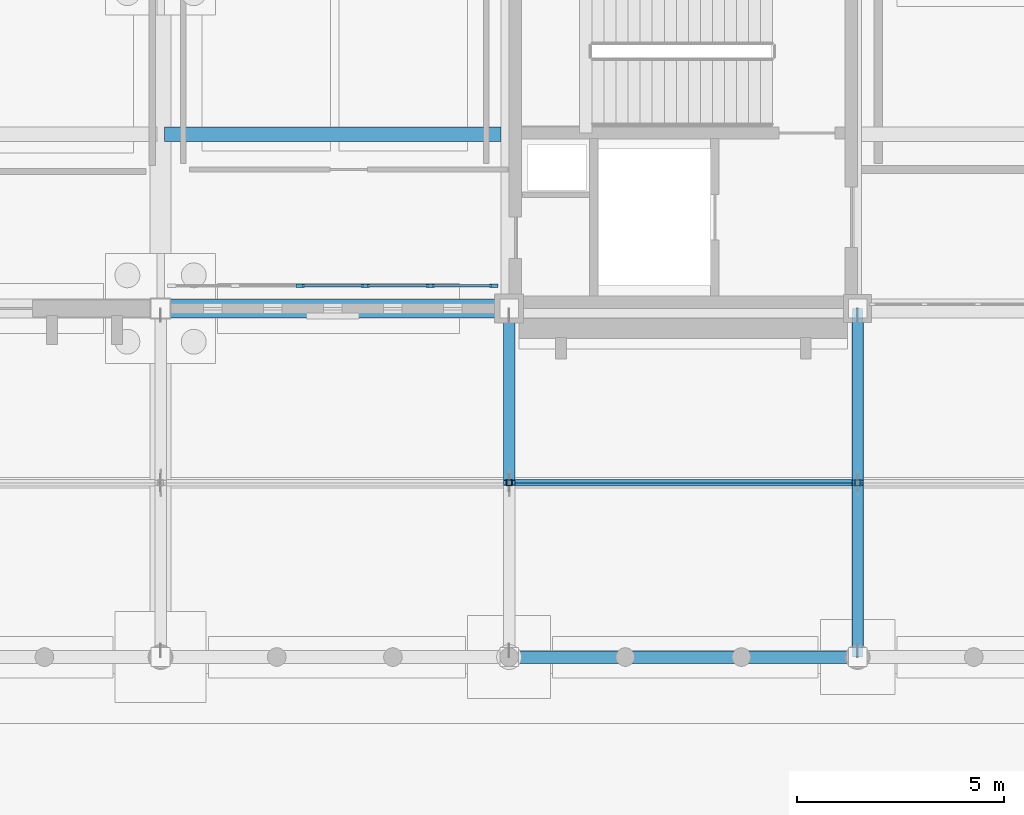
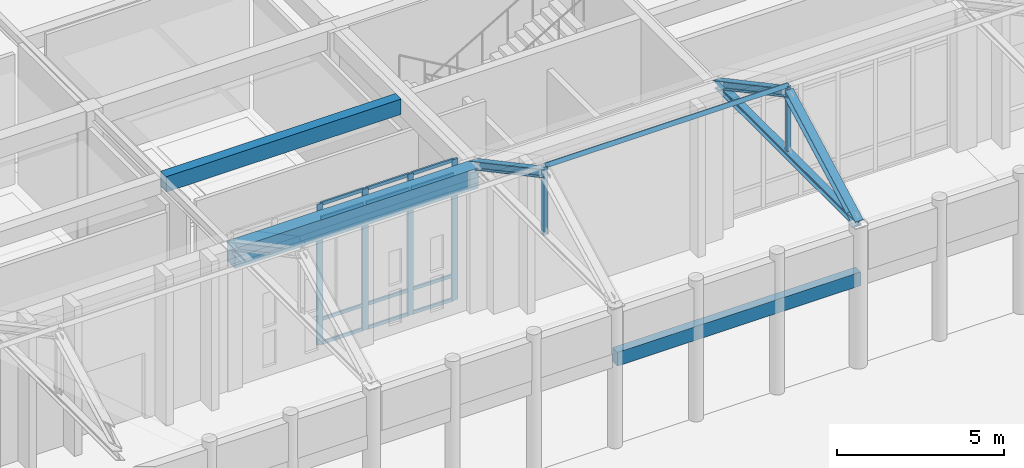
# One storey, part 63 of 143: 23 members, 3 beams, 1 element without a shape of its own.
"""IFC4 building model written with IfcOpenShell, lengths in metres."""

from ifc_helpers import new_model, si_unit, direction, frame, origin, origin_2d, place, context, subcontext, project, spatial, rectangle, hollow_rectangle, i_section, extrude, material, layer, layer_set, material_profile, profile_set, type_object, element, aggregate, save


model = new_model("IFC4")

# Units and contexts
model_context = context("Model", 3, precision=1e-05, world=origin(), true_north=direction((0.0, 1.0)))
body_context = subcontext(model_context, "Body", "Model", "MODEL_VIEW")
ifc_project = project(units=[si_unit("LENGTHUNIT", "METRE"), si_unit("AREAUNIT", "SQUARE_METRE"), si_unit("VOLUMEUNIT", "CUBIC_METRE"), si_unit("PLANEANGLEUNIT", "RADIAN"), si_unit("MASSUNIT", "GRAM", prefix="KILO")], contexts=[model_context])

# Site, building, storey
site_placement = place(None, origin())
site = spatial("IfcSite", under=ifc_project, at=site_placement, CompositionType="ELEMENT")
building_placement = place(site_placement, origin())
building = spatial("IfcBuilding", under=site, at=building_placement, Name="Kveldsbrygga Polytechnic", CompositionType="ELEMENT")
storey_placement = place(building_placement, origin())
storey = spatial("IfcBuildingStorey", under=building, at=storey_placement, Name="L00", CompositionType="ELEMENT", Elevation=0.0)

# Beam
ifc_material_1 = material(Name="Concrete C35/45", Category="concrete")
ifc_material_profile_1 = material_profile(ifc_material_1, rectangle(XDim=0.4599609375, YDim=0.739990234375, at=origin_2d()), Name="RC 460x740")
ifc_profile_set_1 = profile_set([ifc_material_profile_1], Name="Concrete C35/45")
beam_type_1 = type_object("IfcBeamType", Name="BM-RC-460x740", PredefinedType="BEAM", material=ifc_profile_set_1)
beam_1_placement = place(storey_placement, frame((92.39990234375, 84.0, 4.77001953125), z_axis=(1.0, 0.0, 0.0), x_axis=(0.0, 1.0, 0.0)))
element("IfcBeam", 1, at=beam_1_placement, inside=storey, type_object=beam_type_1, Name="Primary Beam BMX-L00-11to12-10", PredefinedType="BEAM", context=body_context, shape_type="SweptSolid", body=[
    extrude(rectangle(XDim=0.4599609375, YDim=0.739990234375, at=origin_2d()), origin(), (0.0, 0.0, 1.0), 8.400146484375),
])

# Curtain wall, members
ifc_material_2 = material(Name="Anodised aluminium AW-6060", Category="aluminium")
ifc_layer = layer(ifc_material_2, 0.18994140625)
ifc_layer_set = layer_set([ifc_layer], Name="Anodised aluminium AW-6060")
curtain_wall_type = type_object("IfcCurtainWallType", Name="CW-REFC-G", PredefinedType="USERDEFINED", material=ifc_layer_set)
curtain_wall_placement = place(storey_placement, origin())
curtain_wall = element("IfcCurtainWall", 2, at=curtain_wall_placement, inside=storey, type_object=curtain_wall_type, Name="Curtain Wall CW-L00-X-11-10", ObjectType="UNITISED CURTAIN WALL", PredefinedType="USERDEFINED")
ifc_material_profile_2 = material_profile(ifc_material_2, rectangle(XDim=0.074951171875, YDim=0.199951171875, at=origin_2d()), Name="ALU 75x200")
ifc_profile_set_2 = profile_set([ifc_material_profile_2], Name="Anodised aluminium AW-6060")
member_type_1 = type_object("IfcMemberType", Name="CW-MUL-200", PredefinedType="MULLION", material=ifc_profile_set_2)
member_1_placement = place(storey_placement, frame((95.76708984375, 84.550048828125, 0.0), z_axis=(0.0, 0.0, 1.0), x_axis=(0.0, 1.0, 0.0)))
member_1 = element("IfcMember", 3, at=member_1_placement, type_object=member_type_1, Name="CW-07 mullion 3", PredefinedType="MULLION", context=body_context, shape_type="SweptSolid", body=[
    extrude(rectangle(XDim=0.074951171875, YDim=0.199951171875, at=origin_2d()), origin(), (0.0, 0.0, 1.0), 5.139892578125),
])
member_2_placement = place(storey_placement, frame((97.3330078125, 84.550048828125, 0.0), z_axis=(0.0, 0.0, 1.0), x_axis=(0.0, 1.0, 0.0)))
member_2 = element("IfcMember", 4, at=member_2_placement, type_object=member_type_1, Name="CW-07 mullion 4", PredefinedType="MULLION", context=body_context, shape_type="SweptSolid", body=[
    extrude(rectangle(XDim=0.074951171875, YDim=0.199951171875, at=origin_2d()), origin(), (0.0, 0.0, 1.0), 5.139892578125),
])
member_3_placement = place(storey_placement, frame((98.89892578125, 84.550048828125, 0.0), z_axis=(0.0, 0.0, 1.0), x_axis=(0.0, 1.0, 0.0)))
member_3 = element("IfcMember", 5, at=member_3_placement, type_object=member_type_1, Name="CW-07 mullion 5", PredefinedType="MULLION", context=body_context, shape_type="SweptSolid", body=[
    extrude(rectangle(XDim=0.074951171875, YDim=0.199951171875, at=origin_2d()), origin(), (0.0, 0.0, 1.0), 5.139892578125),
])
member_4_placement = place(storey_placement, frame((100.427490234375, 84.550048828125, 0.0), z_axis=(0.0, 0.0, 1.0), x_axis=(0.0, 1.0, 0.0)))
member_4 = element("IfcMember", 6, at=member_4_placement, type_object=member_type_1, Name="CW-07 mullion 6", PredefinedType="MULLION", context=body_context, shape_type="SweptSolid", body=[
    extrude(rectangle(XDim=0.074951171875, YDim=0.199951171875, at=origin_2d()), origin(), (0.0, 0.0, 1.0), 5.139892578125),
])
ifc_material_profile_3 = material_profile(ifc_material_2, rectangle(XDim=0.06005859375, YDim=0.1201171875, at=origin_2d()), Name="ALU 60x120")
ifc_profile_set_3 = profile_set([ifc_material_profile_3], Name="Anodised aluminium AW-6060")
member_type_2 = type_object("IfcMemberType", Name="CW-TRN-120", PredefinedType="USERDEFINED", material=ifc_profile_set_3)
member_5_placement = place(storey_placement, frame((95.804443359375, 84.550048828125, 0.030029296875), z_axis=(1.0, 0.0, 0.0), x_axis=(0.0, 1.0, 0.0)))
member_5 = element("IfcMember", 7, at=member_5_placement, type_object=member_type_2, Name="CW-07 transom 3.1", ObjectType="TRANSOM", PredefinedType="USERDEFINED", context=body_context, shape_type="SweptSolid", body=[
    extrude(rectangle(XDim=0.06005859375, YDim=0.1201171875, at=origin_2d()), origin(), (0.0, 0.0, 1.0), 1.490966796875),
])
member_6_placement = place(storey_placement, frame((95.804443359375, 84.550048828125, 0.89990234375), z_axis=(1.0, 0.0, 0.0), x_axis=(0.0, 1.0, 0.0)))
member_6 = element("IfcMember", 8, at=member_6_placement, type_object=member_type_2, Name="CW-07 transom 3.2", ObjectType="TRANSOM", PredefinedType="USERDEFINED", context=body_context, shape_type="SweptSolid", body=[
    extrude(rectangle(XDim=0.06005859375, YDim=0.1201171875, at=origin_2d()), origin(), (0.0, 0.0, 1.0), 1.490966796875),
])
member_7_placement = place(storey_placement, frame((95.804443359375, 84.550048828125, 4.590087890625), z_axis=(1.0, 0.0, 0.0), x_axis=(0.0, 1.0, 0.0)))
member_7 = element("IfcMember", 9, at=member_7_placement, type_object=member_type_2, Name="CW-07 transom 3.3", ObjectType="TRANSOM", PredefinedType="USERDEFINED", context=body_context, shape_type="SweptSolid", body=[
    extrude(rectangle(XDim=0.06005859375, YDim=0.1201171875, at=origin_2d()), origin(), (0.0, 0.0, 1.0), 1.490966796875),
])
member_8_placement = place(storey_placement, frame((95.804443359375, 84.550048828125, 5.110107421875), z_axis=(1.0, 0.0, 0.0), x_axis=(0.0, 1.0, 0.0)))
member_8 = element("IfcMember", 10, at=member_8_placement, type_object=member_type_2, Name="CW-07 transom 3.4", ObjectType="TRANSOM", PredefinedType="USERDEFINED", context=body_context, shape_type="SweptSolid", body=[
    extrude(rectangle(XDim=0.06005859375, YDim=0.1201171875, at=origin_2d()), origin(), (0.0, 0.0, 1.0), 1.490966796875),
])
member_9_placement = place(storey_placement, frame((97.37060546875, 84.550048828125, 0.030029296875), z_axis=(1.0, 0.0, 0.0), x_axis=(0.0, 1.0, 0.0)))
member_9 = element("IfcMember", 11, at=member_9_placement, type_object=member_type_2, Name="CW-07 transom 4.1", ObjectType="TRANSOM", PredefinedType="USERDEFINED", context=body_context, shape_type="SweptSolid", body=[
    extrude(rectangle(XDim=0.06005859375, YDim=0.1201171875, at=origin_2d()), origin(), (0.0, 0.0, 1.0), 1.490966796875),
])
member_10_placement = place(storey_placement, frame((97.37060546875, 84.550048828125, 0.89990234375), z_axis=(1.0, 0.0, 0.0), x_axis=(0.0, 1.0, 0.0)))
member_10 = element("IfcMember", 12, at=member_10_placement, type_object=member_type_2, Name="CW-07 transom 4.2", ObjectType="TRANSOM", PredefinedType="USERDEFINED", context=body_context, shape_type="SweptSolid", body=[
    extrude(rectangle(XDim=0.06005859375, YDim=0.1201171875, at=origin_2d()), origin(), (0.0, 0.0, 1.0), 1.490966796875),
])
member_11_placement = place(storey_placement, frame((97.37060546875, 84.550048828125, 4.590087890625), z_axis=(1.0, 0.0, 0.0), x_axis=(0.0, 1.0, 0.0)))
member_11 = element("IfcMember", 13, at=member_11_placement, type_object=member_type_2, Name="CW-07 transom 4.3", ObjectType="TRANSOM", PredefinedType="USERDEFINED", context=body_context, shape_type="SweptSolid", body=[
    extrude(rectangle(XDim=0.06005859375, YDim=0.1201171875, at=origin_2d()), origin(), (0.0, 0.0, 1.0), 1.490966796875),
])
member_12_placement = place(storey_placement, frame((97.37060546875, 84.550048828125, 5.110107421875), z_axis=(1.0, 0.0, 0.0), x_axis=(0.0, 1.0, 0.0)))
member_12 = element("IfcMember", 14, at=member_12_placement, type_object=member_type_2, Name="CW-07 transom 4.4", ObjectType="TRANSOM", PredefinedType="USERDEFINED", context=body_context, shape_type="SweptSolid", body=[
    extrude(rectangle(XDim=0.06005859375, YDim=0.1201171875, at=origin_2d()), origin(), (0.0, 0.0, 1.0), 1.490966796875),
])
member_13_placement = place(storey_placement, frame((98.9365234375, 84.550048828125, 0.030029296875), z_axis=(1.0, 0.0, 0.0), x_axis=(0.0, 1.0, 0.0)))
member_13 = element("IfcMember", 15, at=member_13_placement, type_object=member_type_2, Name="CW-07 transom 5.1", ObjectType="TRANSOM", PredefinedType="USERDEFINED", context=body_context, shape_type="SweptSolid", body=[
    extrude(rectangle(XDim=0.06005859375, YDim=0.1201171875, at=origin_2d()), origin(), (0.0, 0.0, 1.0), 1.453369140625),
])
member_14_placement = place(storey_placement, frame((98.9365234375, 84.550048828125, 0.89990234375), z_axis=(1.0, 0.0, 0.0), x_axis=(0.0, 1.0, 0.0)))
member_14 = element("IfcMember", 16, at=member_14_placement, type_object=member_type_2, Name="CW-07 transom 5.2", ObjectType="TRANSOM", PredefinedType="USERDEFINED", context=body_context, shape_type="SweptSolid", body=[
    extrude(rectangle(XDim=0.06005859375, YDim=0.1201171875, at=origin_2d()), origin(), (0.0, 0.0, 1.0), 1.453369140625),
])
member_15_placement = place(storey_placement, frame((98.9365234375, 84.550048828125, 4.590087890625), z_axis=(1.0, 0.0, 0.0), x_axis=(0.0, 1.0, 0.0)))
member_15 = element("IfcMember", 17, at=member_15_placement, type_object=member_type_2, Name="CW-07 transom 5.3", ObjectType="TRANSOM", PredefinedType="USERDEFINED", context=body_context, shape_type="SweptSolid", body=[
    extrude(rectangle(XDim=0.06005859375, YDim=0.1201171875, at=origin_2d()), origin(), (0.0, 0.0, 1.0), 1.453369140625),
])
member_16_placement = place(storey_placement, frame((98.9365234375, 84.550048828125, 5.110107421875), z_axis=(1.0, 0.0, 0.0), x_axis=(0.0, 1.0, 0.0)))
member_16 = element("IfcMember", 18, at=member_16_placement, type_object=member_type_2, Name="CW-07 transom 5.4", ObjectType="TRANSOM", PredefinedType="USERDEFINED", context=body_context, shape_type="SweptSolid", body=[
    extrude(rectangle(XDim=0.06005859375, YDim=0.1201171875, at=origin_2d()), origin(), (0.0, 0.0, 1.0), 1.453369140625),
])
aggregate(curtain_wall, [member_1, member_2, member_3, member_4, member_5, member_6, member_7, member_8, member_9, member_10, member_11, member_12, member_13, member_14, member_15, member_16])

# Beams
ifc_material_profile_4 = material_profile(ifc_material_1, rectangle(XDim=0.340087890625, YDim=0.56005859375, at=origin_2d()), Name="RC 340x560")
ifc_profile_set_4 = profile_set([ifc_material_profile_4], Name="Concrete C35/45")
beam_type_2 = type_object("IfcBeamType", Name="JST-RC-340x560", PredefinedType="JOIST", material=ifc_profile_set_4)
beam_2_placement = place(storey_placement, frame((92.489990234375, 88.199951171875, 4.860107421875), z_axis=(1.0, 0.0, 0.0), x_axis=(0.0, 1.0, 0.0)))
element("IfcBeam", 19, at=beam_2_placement, inside=storey, type_object=beam_type_2, Name="Secondary Joist JST-L00-11-10", PredefinedType="JOIST", context=body_context, shape_type="SweptSolid", body=[
    extrude(rectangle(XDim=0.340087890625, YDim=0.56005859375, at=origin_2d()), origin(), (0.0, 0.0, 1.0), 8.110107421875),
])
ifc_material_profile_5 = material_profile(ifc_material_1, rectangle(XDim=0.300048828125, YDim=0.5, at=origin_2d()), Name="RC 300x500")
ifc_profile_set_5 = profile_set([ifc_material_profile_5], Name="Concrete C35/45")
beam_type_3 = type_object("IfcBeamType", Name="LNT-RC-300x500", PredefinedType="LINTEL", material=ifc_profile_set_5)
beam_3_placement = place(storey_placement, frame((100.800048828125, 75.60009765625, 3.199951171875), z_axis=(1.0, 0.0, 0.0), x_axis=(0.0, 1.0, 0.0)))
element("IfcBeam", 20, at=beam_3_placement, inside=storey, type_object=beam_type_3, Name="Cloister Arcade Arch Lintel Beam BM-ARC-HDR-14", PredefinedType="LINTEL", context=body_context, shape_type="SweptSolid", body=[
    extrude(rectangle(XDim=0.300048828125, YDim=0.5, at=origin_2d()), origin(), (0.0, 0.0, 1.0), 8.39990234375),
])

# Members
ifc_material_3 = material(Name="Steel S355", Category="steel")
ifc_material_profile_6 = material_profile(ifc_material_3, hollow_rectangle(XDim=0.10009765625, YDim=0.14990234375, WallThickness=0.008056640625, at=origin_2d()), Name="RHS 150x100x8.0")
ifc_profile_set_6 = profile_set([ifc_material_profile_6], Name="Steel S355")
member_type_3 = type_object("IfcMemberType", Name="PRL-RHS150", PredefinedType="PURLIN", material=ifc_profile_set_6)
member_17_placement = place(storey_placement, frame((100.800048828125, 79.800048828125, 7.6337890625), z_axis=(1.0, 0.0, 0.0), x_axis=(0.0, 0.881479888517, -0.472221564671)))
element("IfcMember", 21, at=member_17_placement, inside=storey, type_object=member_type_3, Name="Roof Purlin ARC-EN-PRL-4-1", PredefinedType="PURLIN", context=body_context, shape_type="SweptSolid", body=[
    extrude(hollow_rectangle(XDim=0.10009765625, YDim=0.14990234375, WallThickness=0.008056640625, at=origin_2d()), origin(), (0.0, 0.0, 1.0), 8.39990234375),
])
ifc_material_profile_7 = material_profile(ifc_material_3, i_section(OverallWidth=0.239990234375, OverallDepth=0.239990234375, WebThickness=0.010009765625, FlangeThickness=0.01708984375, FilletRadius=0.02099609375, at=origin_2d()), Name="HEB 240")
ifc_profile_set_7 = profile_set([ifc_material_profile_7], Name="Steel S355")
member_type_4 = type_object("IfcMemberType", Name="TR-BOT-HEB240", PredefinedType="CHORD", material=ifc_profile_set_7)
member_18_placement = place(storey_placement, frame((109.199951171875, 75.60009765625, 5.139892578125), z_axis=(0.0, 1.0, 0.0), x_axis=(-1.0, 0.0, 0.0)))
element("IfcMember", 22, at=member_18_placement, inside=storey, type_object=member_type_4, Name="Truss Bottom Chord ARC-EN-T05-BC-1", PredefinedType="CHORD", context=body_context, shape_type="SweptSolid", body=[
    extrude(i_section(OverallWidth=0.239990234375, OverallDepth=0.239990234375, WebThickness=0.010009765625, FlangeThickness=0.01708984375, FilletRadius=0.02099609375, at=origin_2d()), origin(), (0.0, 0.0, 1.0), 8.39990234375),
])
ifc_material_profile_8 = material_profile(ifc_material_3, hollow_rectangle(XDim=0.139892578125, YDim=0.139892578125, WallThickness=0.008056640625, at=origin_2d()), Name="SHS 140x140x8.0")
ifc_profile_set_8 = profile_set([ifc_material_profile_8], Name="Steel S355")
member_type_5 = type_object("IfcMemberType", Name="TR-POST-SHS140", PredefinedType="STRUT", material=ifc_profile_set_8)
for number, where, z_axis, x_axis, name in (
    (23, (100.800048828125, 79.800048828125, 5.139892578125), (0.0, 0.0, 1.0), (1.0, 0.0, 0.0), "Truss Vertical ARC-EN-T04-VT-1"),
    (24, (109.199951171875, 79.800048828125, 5.139892578125), (0.0, 0.0, 1.0), (1.0, 0.0, 0.0), "Truss Vertical ARC-EN-T05-VT-1"),
):
    element("IfcMember", number, at=place(storey_placement, frame(where, z_axis=z_axis, x_axis=x_axis)), inside=storey, type_object=member_type_5, Name=name, PredefinedType="STRUT", context=body_context, shape_type="SweptSolid", body=[
        extrude(hollow_rectangle(XDim=0.139892578125, YDim=0.139892578125, WallThickness=0.008056640625, at=origin_2d()), origin(), (0.0, 0.0, 1.0), 2.493896484375),
    ])
ifc_material_profile_9 = material_profile(ifc_material_3, i_section(OverallWidth=0.280029296875, OverallDepth=0.280029296875, WebThickness=0.010498046875, FlangeThickness=0.01806640625, FilletRadius=0.02392578125, at=origin_2d()), Name="HEB 280")
ifc_profile_set_9 = profile_set([ifc_material_profile_9], Name="Steel S355")
member_type_6 = type_object("IfcMemberType", Name="TR-TOP-HEB280", PredefinedType="CHORD", material=ifc_profile_set_9)
for number, where, z_axis, x_axis, name in (
    (25, (100.800048828125, 79.800048828125, 7.389892578125), (0.0, 0.881477684796, -0.472225678258), (-1.0, 0.0, 0.0), "Truss Top Chord ARC-EN-T04-TC-2"),
    (26, (109.199951171875, 75.60009765625, 5.139892578125), (0.0, 0.881477684796, 0.472225678258), (-1.0, 0.0, 0.0), "Truss Top Chord ARC-EN-T05-TC-1"),
    (27, (109.199951171875, 79.800048828125, 7.389892578125), (0.0, 0.881477684796, -0.472225678258), (-1.0, 0.0, 0.0), "Truss Top Chord ARC-EN-T05-TC-2"),
):
    element("IfcMember", number, at=place(storey_placement, frame(where, z_axis=z_axis, x_axis=x_axis)), inside=storey, type_object=member_type_6, Name=name, PredefinedType="CHORD", context=body_context, shape_type="SweptSolid", body=[
        extrude(i_section(OverallWidth=0.280029296875, OverallDepth=0.280029296875, WebThickness=0.010498046875, FlangeThickness=0.01806640625, FilletRadius=0.02392578125, at=origin_2d()), origin(), (0.0, 0.0, 1.0), 4.7646484375),
    ])

save(model, "model.ifc")
